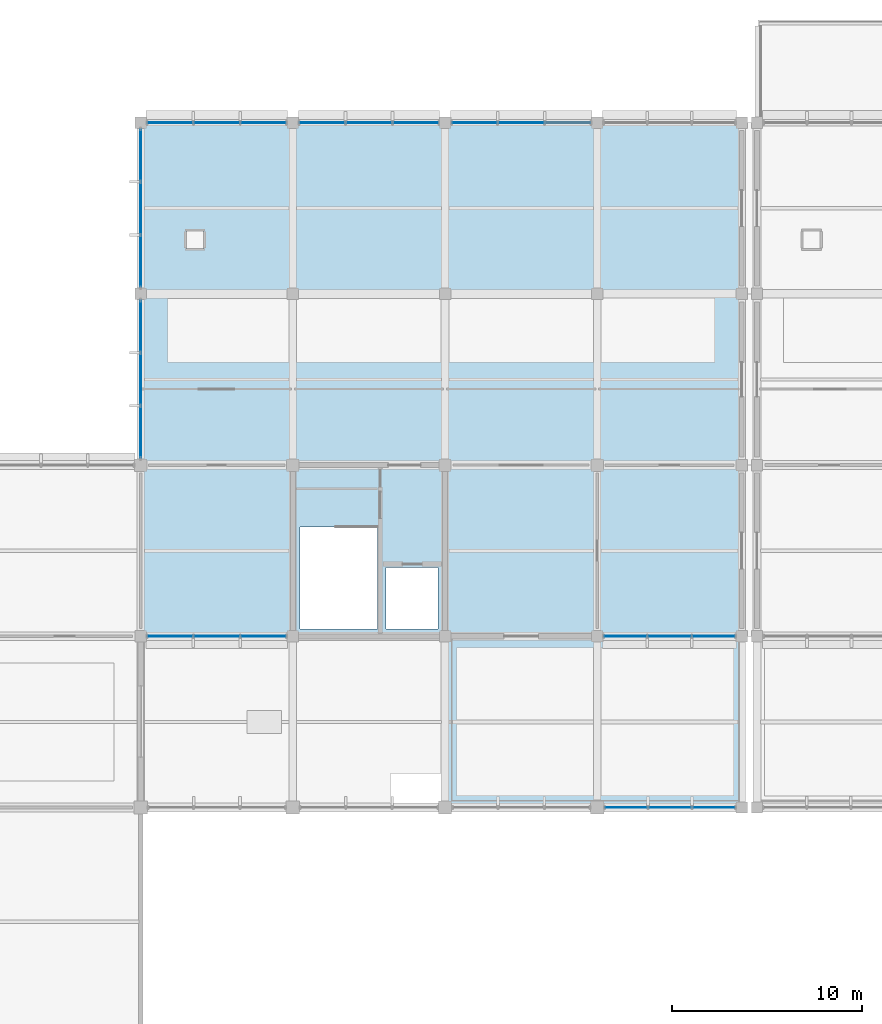
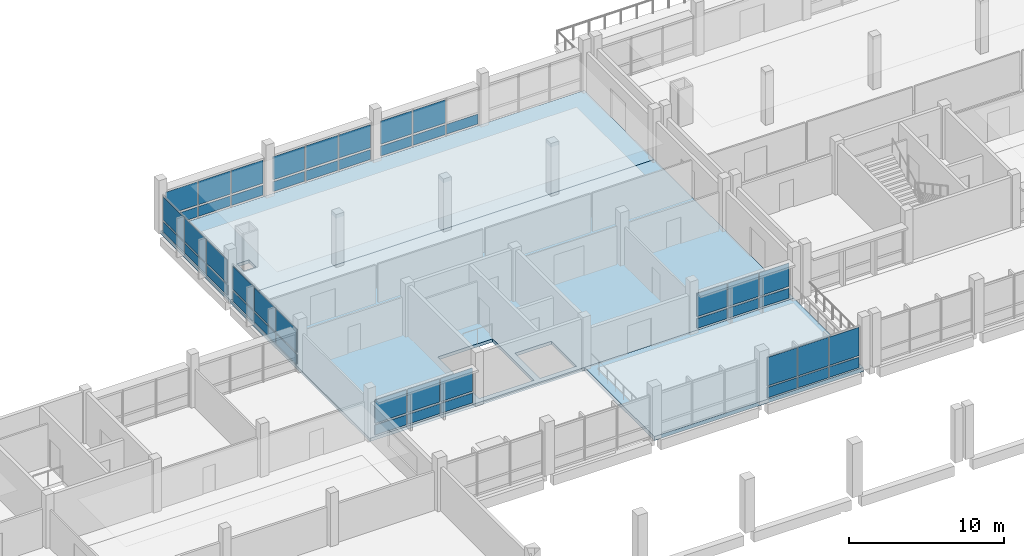
# One storey, part 48 of 70: 47 plates, 3 slabs, 8 elements without a shape of their own.
"""IFC4 building model written with IfcOpenShell, lengths in metres."""

from ifc_helpers import new_model, si_unit, direction, frame, origin, origin_2d, place, context, subcontext, project, spatial, polyline, rectangle, outline, extrude, material, layer, layer_set, type_object, element, aggregate, save


model = new_model("IFC4")

# Units and contexts
model_context = context("Model", 3, precision=1e-05, world=origin(), true_north=direction((0.0, 1.0)))
body_context = subcontext(model_context, "Body", "Model", "MODEL_VIEW")
ifc_project = project(units=[si_unit("LENGTHUNIT", "METRE"), si_unit("AREAUNIT", "SQUARE_METRE"), si_unit("VOLUMEUNIT", "CUBIC_METRE"), si_unit("PLANEANGLEUNIT", "RADIAN"), si_unit("MASSUNIT", "GRAM", prefix="KILO"), si_unit("THERMODYNAMICTEMPERATUREUNIT", "KELVIN"), si_unit("POWERUNIT", "WATT")], contexts=[model_context])

# Site, building, storey
site_placement = place(None, origin())
site = spatial("IfcSite", under=ifc_project, at=site_placement, CompositionType="ELEMENT")
building_placement = place(site_placement, origin())
building = spatial("IfcBuilding", under=site, at=building_placement, Name="Kronsvod Quay Wholesale Market", CompositionType="ELEMENT")
storey_placement = place(building_placement, frame((0.0, 0.0, 9.0)))
storey = spatial("IfcBuildingStorey", under=building, at=storey_placement, Name="L02", CompositionType="ELEMENT", Elevation=9.0)

# Curtain wall, plates
ifc_material_1 = material(Name="Thermally broken aluminium and triple low-E glazing", Category="aluminium")
curtain_wall_type_1 = type_object("IfcCurtainWallType", Name="CW_Clerestory80x32", PredefinedType="NOTDEFINED", material=ifc_material_1)
curtain_wall_1_placement = place(storey_placement, origin())
curtain_wall_1 = element("IfcCurtainWall", 1, at=curtain_wall_1_placement, inside=storey, type_object=curtain_wall_type_1, Name="CWGX-L02-560-900", PredefinedType="NOTDEFINED")
ifc_material_2 = material(Name="Insulated aluminium spandrel panel", Category="aluminium")
ifc_layer_1 = layer(ifc_material_2, 0.048095703125)
ifc_layer_set_1 = layer_set([ifc_layer_1], Name="Insulated aluminium spandrel panel")
plate_type_1 = type_object("IfcPlateType", Name="CWPanel_SP2222x820", PredefinedType="CURTAIN_PANEL", material=ifc_layer_set_1)
plate_1_placement = place(storey_placement, frame((62.128662109375, 90.0, 0.1201171875), z_axis=(0.0, 0.0, 1.0), x_axis=(-1.0, 0.0, 0.0)))
plate_1 = element("IfcPlate", 2, at=plate_1_placement, type_object=plate_type_1, Name="CWGX-L02-560-900-PS1", PredefinedType="CURTAIN_PANEL", context=body_context, shape_type="SweptSolid", body=[
    extrude(rectangle(XDim=2.221923828125, YDim=0.048095703125, at=origin_2d()), origin(), (0.0, 0.0, 1.0), 0.820068359375),
])
ifc_material_3 = material(Name="Insulated aluminium spandrel panel", Category="aluminium")
ifc_layer_2 = layer(ifc_material_3, 0.048095703125)
ifc_layer_set_2 = layer_set([ifc_layer_2], Name="Insulated aluminium spandrel panel")
plate_type_2 = type_object("IfcPlateType", Name="CWPanel_SP2223x820", PredefinedType="CURTAIN_PANEL", material=ifc_layer_set_2)
plate_2_placement = place(storey_placement, frame((57.521240234375, 90.0, 0.1201171875), z_axis=(0.0, 0.0, 1.0), x_axis=(-1.0, 0.0, 0.0)))
plate_2 = element("IfcPlate", 3, at=plate_2_placement, type_object=plate_type_2, Name="CWGX-L02-560-900-PS3", PredefinedType="CURTAIN_PANEL", context=body_context, shape_type="SweptSolid", body=[
    extrude(rectangle(XDim=2.222900390625, YDim=0.048095703125, at=origin_2d()), origin(), (0.0, 0.0, 1.0), 0.820068359375),
])

ifc_material_4 = material(Name="Thermally broken aluminium and triple low-E glazing", Category="aluminium")
curtain_wall_type_2 = type_object("IfcCurtainWallType", Name="CW_Harbour80x33", PredefinedType="NOTDEFINED", material=ifc_material_4)
curtain_wall_2_placement = place(storey_placement, origin())
curtain_wall_2 = element("IfcCurtainWall", 4, at=curtain_wall_2_placement, inside=storey, type_object=curtain_wall_type_2, Name="CWGX-L02-560-990", PredefinedType="NOTDEFINED")
ifc_material_5 = material(Name="Insulated aluminium spandrel panel", Category="aluminium")
ifc_layer_3 = layer(ifc_material_5, 0.048095703125)
ifc_layer_set_3 = layer_set([ifc_layer_3], Name="Insulated aluminium spandrel panel")
plate_type_3 = type_object("IfcPlateType", Name="CWPanel_SP2224x775", PredefinedType="CURTAIN_PANEL", material=ifc_layer_set_3)
plate_3_placement = place(storey_placement, frame((57.482177734375, 99.0, 0.150146484375), z_axis=(0.0, 0.0, 1.0), x_axis=(1.0, 0.0, 0.0)))
plate_3 = element("IfcPlate", 5, at=plate_3_placement, type_object=plate_type_3, Name="CWGX-L02-560-990-PS1", PredefinedType="CURTAIN_PANEL", context=body_context, shape_type="SweptSolid", body=[
    extrude(rectangle(XDim=2.22412109375, YDim=0.048095703125, at=origin_2d()), origin(), (0.0, 0.0, 1.0), 0.77490234375),
])
plate_4_placement = place(storey_placement, frame((62.117919921875, 99.0, 0.150146484375), z_axis=(0.0, 0.0, 1.0), x_axis=(1.0, 0.0, 0.0)))
plate_4 = element("IfcPlate", 6, at=plate_4_placement, type_object=plate_type_3, Name="CWGX-L02-560-990-PS3", PredefinedType="CURTAIN_PANEL", context=body_context, shape_type="SweptSolid", body=[
    extrude(rectangle(XDim=2.22412109375, YDim=0.048095703125, at=origin_2d()), origin(), (0.0, 0.0, 1.0), 0.77490234375),
])

# Plate
ifc_material_6 = material(Name="Insulated aluminium spandrel panel", Category="aluminium")
ifc_layer_4 = layer(ifc_material_6, 0.048095703125)
ifc_layer_set_4 = layer_set([ifc_layer_4], Name="Insulated aluminium spandrel panel")
plate_type_4 = type_object("IfcPlateType", Name="CWPanel_SP2255x820", PredefinedType="CURTAIN_PANEL", material=ifc_layer_set_4)
plate_5_placement = place(storey_placement, frame((59.824951171875, 90.0, 0.1201171875), z_axis=(0.0, 0.0, 1.0), x_axis=(-1.0, 0.0, 0.0)))
plate_5 = element("IfcPlate", 7, at=plate_5_placement, type_object=plate_type_4, Name="CWGX-L02-560-900-PS2", PredefinedType="CURTAIN_PANEL", context=body_context, shape_type="SweptSolid", body=[
    extrude(rectangle(XDim=2.2548828125, YDim=0.048095703125, at=origin_2d()), origin(), (0.0, 0.0, 1.0), 0.820068359375),
])

ifc_material_7 = material(Name="Insulated aluminium spandrel panel", Category="aluminium")
ifc_layer_5 = layer(ifc_material_7, 0.048095703125)
ifc_layer_set_5 = layer_set([ifc_layer_5], Name="Insulated aluminium spandrel panel")
plate_type_5 = type_object("IfcPlateType", Name="CWPanel_SP2262x775", PredefinedType="CURTAIN_PANEL", material=ifc_layer_set_5)
plate_6_placement = place(storey_placement, frame((59.800048828125, 99.0, 0.150146484375), z_axis=(0.0, 0.0, 1.0), x_axis=(1.0, 0.0, 0.0)))
plate_6 = element("IfcPlate", 8, at=plate_6_placement, type_object=plate_type_5, Name="CWGX-L02-560-990-PS2", PredefinedType="CURTAIN_PANEL", context=body_context, shape_type="SweptSolid", body=[
    extrude(rectangle(XDim=2.261962890625, YDim=0.048095703125, at=origin_2d()), origin(), (0.0, 0.0, 1.0), 0.77490234375),
])

# Curtain wall, plate
curtain_wall_3_placement = place(storey_placement, origin())
curtain_wall_3 = element("IfcCurtainWall", 9, at=curtain_wall_3_placement, inside=storey, type_object=curtain_wall_type_2, Name="CWGX-L02-320-990", PredefinedType="NOTDEFINED")
ifc_material_8 = material(Name="Insulated aluminium spandrel panel", Category="aluminium")
ifc_layer_6 = layer(ifc_material_8, 0.048095703125)
ifc_layer_set_6 = layer_set([ifc_layer_6], Name="Insulated aluminium spandrel panel")
plate_type_6 = type_object("IfcPlateType", Name="CWPanel_SP2357x775", PredefinedType="CURTAIN_PANEL", material=ifc_layer_set_6)
plate_7_placement = place(storey_placement, frame((33.548828125, 99.0, 0.150146484375), z_axis=(0.0, 0.0, 1.0), x_axis=(1.0, 0.0, 0.0)))
plate_7 = element("IfcPlate", 10, at=plate_7_placement, type_object=plate_type_6, Name="CWGX-L02-320-990-PS1", PredefinedType="CURTAIN_PANEL", context=body_context, shape_type="SweptSolid", body=[
    extrude(rectangle(XDim=2.35693359375, YDim=0.048095703125, at=origin_2d()), origin(), (0.0, 0.0, 1.0), 0.77490234375),
])

curtain_wall_4_placement = place(storey_placement, origin())
curtain_wall_4 = element("IfcCurtainWall", 11, at=curtain_wall_4_placement, inside=storey, type_object=curtain_wall_type_2, Name="CWGX-L02-320-1260", PredefinedType="NOTDEFINED")
plate_8_placement = place(storey_placement, frame((38.451171875, 126.0, 0.150146484375), z_axis=(0.0, 0.0, 1.0), x_axis=(-1.0, 0.0, 0.0)))
plate_8 = element("IfcPlate", 12, at=plate_8_placement, type_object=plate_type_6, Name="CWGX-L02-320-1260-PS1", PredefinedType="CURTAIN_PANEL", context=body_context, shape_type="SweptSolid", body=[
    extrude(rectangle(XDim=2.35693359375, YDim=0.048095703125, at=origin_2d()), origin(), (0.0, 0.0, 1.0), 0.77490234375),
])

curtain_wall_5_placement = place(storey_placement, origin())
curtain_wall_5 = element("IfcCurtainWall", 13, at=curtain_wall_5_placement, inside=storey, type_object=curtain_wall_type_2, Name="CWGX-L02-400-1260", PredefinedType="NOTDEFINED")
plate_9_placement = place(storey_placement, frame((46.451171875, 126.0, 0.150146484375), z_axis=(0.0, 0.0, 1.0), x_axis=(-1.0, 0.0, 0.0)))
plate_9 = element("IfcPlate", 14, at=plate_9_placement, type_object=plate_type_6, Name="CWGX-L02-400-1260-PS1", PredefinedType="CURTAIN_PANEL", context=body_context, shape_type="SweptSolid", body=[
    extrude(rectangle(XDim=2.35693359375, YDim=0.048095703125, at=origin_2d()), origin(), (0.0, 0.0, 1.0), 0.77490234375),
])

curtain_wall_6_placement = place(storey_placement, origin())
curtain_wall_6 = element("IfcCurtainWall", 15, at=curtain_wall_6_placement, inside=storey, type_object=curtain_wall_type_2, Name="CWGX-L02-480-1260", PredefinedType="NOTDEFINED")
plate_10_placement = place(storey_placement, frame((54.451171875, 126.0, 0.150146484375), z_axis=(0.0, 0.0, 1.0), x_axis=(-1.0, 0.0, 0.0)))
plate_10 = element("IfcPlate", 16, at=plate_10_placement, type_object=plate_type_6, Name="CWGX-L02-480-1260-PS1", PredefinedType="CURTAIN_PANEL", context=body_context, shape_type="SweptSolid", body=[
    extrude(rectangle(XDim=2.35693359375, YDim=0.048095703125, at=origin_2d()), origin(), (0.0, 0.0, 1.0), 0.77490234375),
])

# Plate
ifc_material_9 = material(Name="Insulated aluminium spandrel panel", Category="aluminium")
ifc_layer_7 = layer(ifc_material_9, 0.048095703125)
ifc_layer_set_7 = layer_set([ifc_layer_7], Name="Insulated aluminium spandrel panel")
plate_type_7 = type_object("IfcPlateType", Name="CWPanel_SP2358x775", PredefinedType="CURTAIN_PANEL", material=ifc_layer_set_7)
plate_11_placement = place(storey_placement, frame((38.451171875, 99.0, 0.150146484375), z_axis=(0.0, 0.0, 1.0), x_axis=(1.0, 0.0, 0.0)))
plate_11 = element("IfcPlate", 17, at=plate_11_placement, type_object=plate_type_7, Name="CWGX-L02-320-990-PS3", PredefinedType="CURTAIN_PANEL", context=body_context, shape_type="SweptSolid", body=[
    extrude(rectangle(XDim=2.35791015625, YDim=0.048095703125, at=origin_2d()), origin(), (0.0, 0.0, 1.0), 0.77490234375),
])

plate_12_placement = place(storey_placement, frame((33.548828125, 126.0, 0.150146484375), z_axis=(0.0, 0.0, 1.0), x_axis=(-1.0, 0.0, 0.0)))
plate_12 = element("IfcPlate", 18, at=plate_12_placement, type_object=plate_type_7, Name="CWGX-L02-320-1260-PS3", PredefinedType="CURTAIN_PANEL", context=body_context, shape_type="SweptSolid", body=[
    extrude(rectangle(XDim=2.35791015625, YDim=0.048095703125, at=origin_2d()), origin(), (0.0, 0.0, 1.0), 0.77490234375),
])

plate_13_placement = place(storey_placement, frame((41.548828125, 126.0, 0.150146484375), z_axis=(0.0, 0.0, 1.0), x_axis=(-1.0, 0.0, 0.0)))
plate_13 = element("IfcPlate", 19, at=plate_13_placement, type_object=plate_type_7, Name="CWGX-L02-400-1260-PS3", PredefinedType="CURTAIN_PANEL", context=body_context, shape_type="SweptSolid", body=[
    extrude(rectangle(XDim=2.35791015625, YDim=0.048095703125, at=origin_2d()), origin(), (0.0, 0.0, 1.0), 0.77490234375),
])

plate_14_placement = place(storey_placement, frame((49.548828125, 126.0, 0.150146484375), z_axis=(0.0, 0.0, 1.0), x_axis=(-1.0, 0.0, 0.0)))
plate_14 = element("IfcPlate", 20, at=plate_14_placement, type_object=plate_type_7, Name="CWGX-L02-480-1260-PS3", PredefinedType="CURTAIN_PANEL", context=body_context, shape_type="SweptSolid", body=[
    extrude(rectangle(XDim=2.35791015625, YDim=0.048095703125, at=origin_2d()), origin(), (0.0, 0.0, 1.0), 0.77490234375),
])

ifc_material_10 = material(Name="Insulated aluminium spandrel panel", Category="aluminium")
ifc_layer_8 = layer(ifc_material_10, 0.048095703125)
ifc_layer_set_8 = layer_set([ifc_layer_8], Name="Insulated aluminium spandrel panel")
plate_type_8 = type_object("IfcPlateType", Name="CWPanel_SP2395x775", PredefinedType="CURTAIN_PANEL", material=ifc_layer_set_8)
plate_15_placement = place(storey_placement, frame((36.0, 99.0, 0.150146484375), z_axis=(0.0, 0.0, 1.0), x_axis=(1.0, 0.0, 0.0)))
plate_15 = element("IfcPlate", 21, at=plate_15_placement, type_object=plate_type_8, Name="CWGX-L02-320-990-PS2", PredefinedType="CURTAIN_PANEL", context=body_context, shape_type="SweptSolid", body=[
    extrude(rectangle(XDim=2.39501953125, YDim=0.048095703125, at=origin_2d()), origin(), (0.0, 0.0, 1.0), 0.77490234375),
])

plate_16_placement = place(storey_placement, frame((36.0, 126.0, 0.150146484375), z_axis=(0.0, 0.0, 1.0), x_axis=(-1.0, 0.0, 0.0)))
plate_16 = element("IfcPlate", 22, at=plate_16_placement, type_object=plate_type_8, Name="CWGX-L02-320-1260-PS2", PredefinedType="CURTAIN_PANEL", context=body_context, shape_type="SweptSolid", body=[
    extrude(rectangle(XDim=2.39501953125, YDim=0.048095703125, at=origin_2d()), origin(), (0.0, 0.0, 1.0), 0.77490234375),
])

plate_17_placement = place(storey_placement, frame((44.0, 126.0, 0.150146484375), z_axis=(0.0, 0.0, 1.0), x_axis=(-1.0, 0.0, 0.0)))
plate_17 = element("IfcPlate", 23, at=plate_17_placement, type_object=plate_type_8, Name="CWGX-L02-400-1260-PS2", PredefinedType="CURTAIN_PANEL", context=body_context, shape_type="SweptSolid", body=[
    extrude(rectangle(XDim=2.39501953125, YDim=0.048095703125, at=origin_2d()), origin(), (0.0, 0.0, 1.0), 0.77490234375),
])

plate_18_placement = place(storey_placement, frame((52.0, 126.0, 0.150146484375), z_axis=(0.0, 0.0, 1.0), x_axis=(-1.0, 0.0, 0.0)))
plate_18 = element("IfcPlate", 24, at=plate_18_placement, type_object=plate_type_8, Name="CWGX-L02-480-1260-PS2", PredefinedType="CURTAIN_PANEL", context=body_context, shape_type="SweptSolid", body=[
    extrude(rectangle(XDim=2.39501953125, YDim=0.048095703125, at=origin_2d()), origin(), (0.0, 0.0, 1.0), 0.77490234375),
])

# Curtain wall, plates
ifc_material_11 = material(Name="Thermally broken aluminium and triple low-E glazing", Category="aluminium")
curtain_wall_type_3 = type_object("IfcCurtainWallType", Name="CW_Wing90x33", PredefinedType="NOTDEFINED", material=ifc_material_11)
curtain_wall_7_placement = place(storey_placement, origin())
curtain_wall_7 = element("IfcCurtainWall", 25, at=curtain_wall_7_placement, inside=storey, type_object=curtain_wall_type_3, Name="CWGY-L02-320-1080", PredefinedType="NOTDEFINED")
ifc_material_12 = material(Name="Insulated aluminium spandrel panel", Category="aluminium")
ifc_layer_9 = layer(ifc_material_12, 0.048095703125)
ifc_layer_set_9 = layer_set([ifc_layer_9], Name="Insulated aluminium spandrel panel")
plate_type_9 = type_object("IfcPlateType", Name="CWPanel_SP2683x775", PredefinedType="CURTAIN_PANEL", material=ifc_layer_set_9)
plate_19_placement = place(storey_placement, frame((32.0, 115.288818359375, 0.150146484375), z_axis=(0.0, 0.0, 1.0), x_axis=(0.0, -1.0, 0.0)))
plate_19 = element("IfcPlate", 26, at=plate_19_placement, type_object=plate_type_9, Name="CWGY-L02-320-1080-PS1", PredefinedType="CURTAIN_PANEL", context=body_context, shape_type="SweptSolid", body=[
    extrude(rectangle(XDim=2.68310546875, YDim=0.048095703125, at=origin_2d()), origin(), (0.0, 0.0, 1.0), 0.77490234375),
])
plate_20_placement = place(storey_placement, frame((32.0, 109.736328125, 0.150146484375), z_axis=(0.0, 0.0, 1.0), x_axis=(0.0, -1.0, 0.0)))
plate_20 = element("IfcPlate", 27, at=plate_20_placement, type_object=plate_type_9, Name="CWGY-L02-320-1080-PS3", PredefinedType="CURTAIN_PANEL", context=body_context, shape_type="SweptSolid", body=[
    extrude(rectangle(XDim=2.68310546875, YDim=0.048095703125, at=origin_2d()), origin(), (0.0, 0.0, 1.0), 0.77490234375),
])

curtain_wall_8_placement = place(storey_placement, origin())
curtain_wall_8 = element("IfcCurtainWall", 28, at=curtain_wall_8_placement, inside=storey, type_object=curtain_wall_type_3, Name="CWGY-L02-320-1170", PredefinedType="NOTDEFINED")
ifc_material_13 = material(Name="Insulated aluminium spandrel panel", Category="aluminium")
ifc_layer_10 = layer(ifc_material_13, 0.048095703125)
ifc_layer_set_10 = layer_set([ifc_layer_10], Name="Insulated aluminium spandrel panel")
plate_type_10 = type_object("IfcPlateType", Name="CWPanel_SP2691x775", PredefinedType="CURTAIN_PANEL", material=ifc_layer_set_10)
plate_21_placement = place(storey_placement, frame((32.0, 124.28466796875, 0.150146484375), z_axis=(0.0, 0.0, 1.0), x_axis=(0.0, -1.0, 0.0)))
plate_21 = element("IfcPlate", 29, at=plate_21_placement, type_object=plate_type_10, Name="CWGY-L02-320-1170-PS1", PredefinedType="CURTAIN_PANEL", context=body_context, shape_type="SweptSolid", body=[
    extrude(rectangle(XDim=2.69091796875, YDim=0.048095703125, at=origin_2d()), origin(), (0.0, 0.0, 1.0), 0.77490234375),
])
plate_22_placement = place(storey_placement, frame((32.0, 118.71533203125, 0.150146484375), z_axis=(0.0, 0.0, 1.0), x_axis=(0.0, -1.0, 0.0)))
plate_22 = element("IfcPlate", 30, at=plate_22_placement, type_object=plate_type_10, Name="CWGY-L02-320-1170-PS3", PredefinedType="CURTAIN_PANEL", context=body_context, shape_type="SweptSolid", body=[
    extrude(rectangle(XDim=2.69091796875, YDim=0.048095703125, at=origin_2d()), origin(), (0.0, 0.0, 1.0), 0.77490234375),
])

# Plate
ifc_material_14 = material(Name="Insulated aluminium spandrel panel", Category="aluminium")
ifc_layer_11 = layer(ifc_material_14, 0.048095703125)
ifc_layer_set_11 = layer_set([ifc_layer_11], Name="Insulated aluminium spandrel panel")
plate_type_11 = type_object("IfcPlateType", Name="CWPanel_SP2720x775", PredefinedType="CURTAIN_PANEL", material=ifc_layer_set_11)
plate_23_placement = place(storey_placement, frame((32.0, 112.512451171875, 0.150146484375), z_axis=(0.0, 0.0, 1.0), x_axis=(0.0, -1.0, 0.0)))
plate_23 = element("IfcPlate", 31, at=plate_23_placement, type_object=plate_type_11, Name="CWGY-L02-320-1080-PS2", PredefinedType="CURTAIN_PANEL", context=body_context, shape_type="SweptSolid", body=[
    extrude(rectangle(XDim=2.719970703125, YDim=0.048095703125, at=origin_2d()), origin(), (0.0, 0.0, 1.0), 0.77490234375),
])

ifc_material_15 = material(Name="Insulated aluminium spandrel panel", Category="aluminium")
ifc_layer_12 = layer(ifc_material_15, 0.048095703125)
ifc_layer_set_12 = layer_set([ifc_layer_12], Name="Insulated aluminium spandrel panel")
plate_type_12 = type_object("IfcPlateType", Name="CWPanel_SP2728x775", PredefinedType="CURTAIN_PANEL", material=ifc_layer_set_12)
plate_24_placement = place(storey_placement, frame((32.0, 121.5, 0.150146484375), z_axis=(0.0, 0.0, 1.0), x_axis=(0.0, -1.0, 0.0)))
plate_24 = element("IfcPlate", 32, at=plate_24_placement, type_object=plate_type_12, Name="CWGY-L02-320-1170-PS2", PredefinedType="CURTAIN_PANEL", context=body_context, shape_type="SweptSolid", body=[
    extrude(rectangle(XDim=2.72802734375, YDim=0.048095703125, at=origin_2d()), origin(), (0.0, 0.0, 1.0), 0.77490234375),
])

ifc_material_16 = material(Name="Triple low-E insulated glazing", Category="glass")
ifc_layer_13 = layer(ifc_material_16, 0.0439453125)
ifc_layer_set_13 = layer_set([ifc_layer_13], Name="Triple low-E insulated glazing")
plate_type_13 = type_object("IfcPlateType", Name="CWPanel_VS2222x2240", PredefinedType="CURTAIN_PANEL", material=ifc_layer_set_13)
plate_25_placement = place(storey_placement, frame((62.128662109375, 90.0, 1.06005859375), z_axis=(0.0, 0.0, 1.0), x_axis=(-1.0, 0.0, 0.0)))
plate_25 = element("IfcPlate", 33, at=plate_25_placement, type_object=plate_type_13, Name="CWGX-L02-560-900-PV1", PredefinedType="CURTAIN_PANEL", context=body_context, shape_type="SweptSolid", body=[
    extrude(rectangle(XDim=2.221923828125, YDim=0.0439453125, at=origin_2d()), origin(), (0.0, 0.0, 1.0), 2.239990234375),
])

ifc_material_17 = material(Name="Triple low-E insulated glazing", Category="glass")
ifc_layer_14 = layer(ifc_material_17, 0.0439453125)
ifc_layer_set_14 = layer_set([ifc_layer_14], Name="Triple low-E insulated glazing")
plate_type_14 = type_object("IfcPlateType", Name="CWPanel_VS2223x2240", PredefinedType="CURTAIN_PANEL", material=ifc_layer_set_14)
plate_26_placement = place(storey_placement, frame((57.521240234375, 90.0, 1.06005859375), z_axis=(0.0, 0.0, 1.0), x_axis=(-1.0, 0.0, 0.0)))
plate_26 = element("IfcPlate", 34, at=plate_26_placement, type_object=plate_type_14, Name="CWGX-L02-560-900-PV3", PredefinedType="CURTAIN_PANEL", context=body_context, shape_type="SweptSolid", body=[
    extrude(rectangle(XDim=2.222900390625, YDim=0.0439453125, at=origin_2d()), origin(), (0.0, 0.0, 1.0), 2.239990234375),
])

ifc_material_18 = material(Name="Triple low-E insulated glazing", Category="glass")
ifc_layer_15 = layer(ifc_material_18, 0.0439453125)
ifc_layer_set_15 = layer_set([ifc_layer_15], Name="Triple low-E insulated glazing")
plate_type_15 = type_object("IfcPlateType", Name="CWPanel_VS2224x1825", PredefinedType="CURTAIN_PANEL", material=ifc_layer_set_15)
plate_27_placement = place(storey_placement, frame((57.482177734375, 99.0, 1.0751953125), z_axis=(0.0, 0.0, 1.0), x_axis=(1.0, 0.0, 0.0)))
plate_27 = element("IfcPlate", 35, at=plate_27_placement, type_object=plate_type_15, Name="CWGX-L02-560-990-PV1", PredefinedType="CURTAIN_PANEL", context=body_context, shape_type="SweptSolid", body=[
    extrude(rectangle(XDim=2.22412109375, YDim=0.0439453125, at=origin_2d()), origin(), (0.0, 0.0, 1.0), 1.824951171875),
])

plate_28_placement = place(storey_placement, frame((62.117919921875, 99.0, 1.0751953125), z_axis=(0.0, 0.0, 1.0), x_axis=(1.0, 0.0, 0.0)))
plate_28 = element("IfcPlate", 36, at=plate_28_placement, type_object=plate_type_15, Name="CWGX-L02-560-990-PV3", PredefinedType="CURTAIN_PANEL", context=body_context, shape_type="SweptSolid", body=[
    extrude(rectangle(XDim=2.22412109375, YDim=0.0439453125, at=origin_2d()), origin(), (0.0, 0.0, 1.0), 1.824951171875),
])

ifc_material_19 = material(Name="Triple low-E insulated glazing", Category="glass")
ifc_layer_16 = layer(ifc_material_19, 0.0439453125)
ifc_layer_set_16 = layer_set([ifc_layer_16], Name="Triple low-E insulated glazing")
plate_type_16 = type_object("IfcPlateType", Name="CWPanel_VS2255x2240", PredefinedType="CURTAIN_PANEL", material=ifc_layer_set_16)
plate_29_placement = place(storey_placement, frame((59.824951171875, 90.0, 1.06005859375), z_axis=(0.0, 0.0, 1.0), x_axis=(-1.0, 0.0, 0.0)))
plate_29 = element("IfcPlate", 37, at=plate_29_placement, type_object=plate_type_16, Name="CWGX-L02-560-900-PV2", PredefinedType="CURTAIN_PANEL", context=body_context, shape_type="SweptSolid", body=[
    extrude(rectangle(XDim=2.2548828125, YDim=0.0439453125, at=origin_2d()), origin(), (0.0, 0.0, 1.0), 2.239990234375),
])

aggregate(curtain_wall_1, [plate_1, plate_25, plate_5, plate_29, plate_2, plate_26])

ifc_material_20 = material(Name="Triple low-E insulated glazing", Category="glass")
ifc_layer_17 = layer(ifc_material_20, 0.0439453125)
ifc_layer_set_17 = layer_set([ifc_layer_17], Name="Triple low-E insulated glazing")
plate_type_17 = type_object("IfcPlateType", Name="CWPanel_VS2262x1825", PredefinedType="CURTAIN_PANEL", material=ifc_layer_set_17)
plate_30_placement = place(storey_placement, frame((59.800048828125, 99.0, 1.0751953125), z_axis=(0.0, 0.0, 1.0), x_axis=(1.0, 0.0, 0.0)))
plate_30 = element("IfcPlate", 38, at=plate_30_placement, type_object=plate_type_17, Name="CWGX-L02-560-990-PV2", PredefinedType="CURTAIN_PANEL", context=body_context, shape_type="SweptSolid", body=[
    extrude(rectangle(XDim=2.261962890625, YDim=0.0439453125, at=origin_2d()), origin(), (0.0, 0.0, 1.0), 1.824951171875),
])

aggregate(curtain_wall_2, [plate_3, plate_27, plate_6, plate_30, plate_4, plate_28])

ifc_material_21 = material(Name="Triple low-E insulated glazing", Category="glass")
ifc_layer_18 = layer(ifc_material_21, 0.0439453125)
ifc_layer_set_18 = layer_set([ifc_layer_18], Name="Triple low-E insulated glazing")
plate_type_18 = type_object("IfcPlateType", Name="CWPanel_VS2357x1825", PredefinedType="CURTAIN_PANEL", material=ifc_layer_set_18)
plate_31_placement = place(storey_placement, frame((33.548828125, 99.0, 1.0751953125), z_axis=(0.0, 0.0, 1.0), x_axis=(1.0, 0.0, 0.0)))
plate_31 = element("IfcPlate", 39, at=plate_31_placement, type_object=plate_type_18, Name="CWGX-L02-320-990-PV1", PredefinedType="CURTAIN_PANEL", context=body_context, shape_type="SweptSolid", body=[
    extrude(rectangle(XDim=2.35693359375, YDim=0.0439453125, at=origin_2d()), origin(), (0.0, 0.0, 1.0), 1.824951171875),
])

plate_32_placement = place(storey_placement, frame((38.451171875, 126.0, 1.0751953125), z_axis=(0.0, 0.0, 1.0), x_axis=(-1.0, 0.0, 0.0)))
plate_32 = element("IfcPlate", 40, at=plate_32_placement, type_object=plate_type_18, Name="CWGX-L02-320-1260-PV1", PredefinedType="CURTAIN_PANEL", context=body_context, shape_type="SweptSolid", body=[
    extrude(rectangle(XDim=2.35693359375, YDim=0.0439453125, at=origin_2d()), origin(), (0.0, 0.0, 1.0), 1.824951171875),
])

plate_33_placement = place(storey_placement, frame((46.451171875, 126.0, 1.0751953125), z_axis=(0.0, 0.0, 1.0), x_axis=(-1.0, 0.0, 0.0)))
plate_33 = element("IfcPlate", 41, at=plate_33_placement, type_object=plate_type_18, Name="CWGX-L02-400-1260-PV1", PredefinedType="CURTAIN_PANEL", context=body_context, shape_type="SweptSolid", body=[
    extrude(rectangle(XDim=2.35693359375, YDim=0.0439453125, at=origin_2d()), origin(), (0.0, 0.0, 1.0), 1.824951171875),
])

ifc_material_22 = material(Name="Triple low-E insulated glazing", Category="glass")
ifc_layer_19 = layer(ifc_material_22, 0.0439453125)
ifc_layer_set_19 = layer_set([ifc_layer_19], Name="Triple low-E insulated glazing")
plate_type_19 = type_object("IfcPlateType", Name="CWPanel_VS2358x1825", PredefinedType="CURTAIN_PANEL", material=ifc_layer_set_19)
plate_34_placement = place(storey_placement, frame((38.451171875, 99.0, 1.0751953125), z_axis=(0.0, 0.0, 1.0), x_axis=(1.0, 0.0, 0.0)))
plate_34 = element("IfcPlate", 42, at=plate_34_placement, type_object=plate_type_19, Name="CWGX-L02-320-990-PV3", PredefinedType="CURTAIN_PANEL", context=body_context, shape_type="SweptSolid", body=[
    extrude(rectangle(XDim=2.35791015625, YDim=0.0439453125, at=origin_2d()), origin(), (0.0, 0.0, 1.0), 1.824951171875),
])

plate_35_placement = place(storey_placement, frame((33.548828125, 126.0, 1.0751953125), z_axis=(0.0, 0.0, 1.0), x_axis=(-1.0, 0.0, 0.0)))
plate_35 = element("IfcPlate", 43, at=plate_35_placement, type_object=plate_type_19, Name="CWGX-L02-320-1260-PV3", PredefinedType="CURTAIN_PANEL", context=body_context, shape_type="SweptSolid", body=[
    extrude(rectangle(XDim=2.35791015625, YDim=0.0439453125, at=origin_2d()), origin(), (0.0, 0.0, 1.0), 1.824951171875),
])

plate_36_placement = place(storey_placement, frame((41.548828125, 126.0, 1.0751953125), z_axis=(0.0, 0.0, 1.0), x_axis=(-1.0, 0.0, 0.0)))
plate_36 = element("IfcPlate", 44, at=plate_36_placement, type_object=plate_type_19, Name="CWGX-L02-400-1260-PV3", PredefinedType="CURTAIN_PANEL", context=body_context, shape_type="SweptSolid", body=[
    extrude(rectangle(XDim=2.35791015625, YDim=0.0439453125, at=origin_2d()), origin(), (0.0, 0.0, 1.0), 1.824951171875),
])

plate_37_placement = place(storey_placement, frame((49.548828125, 126.0, 1.0751953125), z_axis=(0.0, 0.0, 1.0), x_axis=(-1.0, 0.0, 0.0)))
plate_37 = element("IfcPlate", 45, at=plate_37_placement, type_object=plate_type_19, Name="CWGX-L02-480-1260-PV3", PredefinedType="CURTAIN_PANEL", context=body_context, shape_type="SweptSolid", body=[
    extrude(rectangle(XDim=2.35791015625, YDim=0.0439453125, at=origin_2d()), origin(), (0.0, 0.0, 1.0), 1.824951171875),
])

ifc_material_23 = material(Name="Triple low-E insulated glazing", Category="glass")
ifc_layer_20 = layer(ifc_material_23, 0.0439453125)
ifc_layer_set_20 = layer_set([ifc_layer_20], Name="Triple low-E insulated glazing")
plate_type_20 = type_object("IfcPlateType", Name="CWPanel_VS2395x1825", PredefinedType="CURTAIN_PANEL", material=ifc_layer_set_20)
plate_38_placement = place(storey_placement, frame((36.0, 99.0, 1.0751953125), z_axis=(0.0, 0.0, 1.0), x_axis=(1.0, 0.0, 0.0)))
plate_38 = element("IfcPlate", 46, at=plate_38_placement, type_object=plate_type_20, Name="CWGX-L02-320-990-PV2", PredefinedType="CURTAIN_PANEL", context=body_context, shape_type="SweptSolid", body=[
    extrude(rectangle(XDim=2.39501953125, YDim=0.0439453125, at=origin_2d()), origin(), (0.0, 0.0, 1.0), 1.824951171875),
])

aggregate(curtain_wall_3, [plate_7, plate_31, plate_15, plate_38, plate_11, plate_34])

plate_39_placement = place(storey_placement, frame((36.0, 126.0, 1.0751953125), z_axis=(0.0, 0.0, 1.0), x_axis=(-1.0, 0.0, 0.0)))
plate_39 = element("IfcPlate", 47, at=plate_39_placement, type_object=plate_type_20, Name="CWGX-L02-320-1260-PV2", PredefinedType="CURTAIN_PANEL", context=body_context, shape_type="SweptSolid", body=[
    extrude(rectangle(XDim=2.39501953125, YDim=0.0439453125, at=origin_2d()), origin(), (0.0, 0.0, 1.0), 1.824951171875),
])

aggregate(curtain_wall_4, [plate_8, plate_32, plate_16, plate_39, plate_12, plate_35])

plate_40_placement = place(storey_placement, frame((44.0, 126.0, 1.0751953125), z_axis=(0.0, 0.0, 1.0), x_axis=(-1.0, 0.0, 0.0)))
plate_40 = element("IfcPlate", 48, at=plate_40_placement, type_object=plate_type_20, Name="CWGX-L02-400-1260-PV2", PredefinedType="CURTAIN_PANEL", context=body_context, shape_type="SweptSolid", body=[
    extrude(rectangle(XDim=2.39501953125, YDim=0.0439453125, at=origin_2d()), origin(), (0.0, 0.0, 1.0), 1.824951171875),
])

aggregate(curtain_wall_5, [plate_9, plate_33, plate_17, plate_40, plate_13, plate_36])

plate_41_placement = place(storey_placement, frame((52.0, 126.0, 1.0751953125), z_axis=(0.0, 0.0, 1.0), x_axis=(-1.0, 0.0, 0.0)))
plate_41 = element("IfcPlate", 49, at=plate_41_placement, type_object=plate_type_20, Name="CWGX-L02-480-1260-PV2", PredefinedType="CURTAIN_PANEL", context=body_context, shape_type="SweptSolid", body=[
    extrude(rectangle(XDim=2.39501953125, YDim=0.0439453125, at=origin_2d()), origin(), (0.0, 0.0, 1.0), 1.824951171875),
])

aggregate(curtain_wall_6, [plate_10, plate_18, plate_41, plate_14, plate_37])

ifc_material_24 = material(Name="Triple low-E insulated glazing", Category="glass")
ifc_layer_21 = layer(ifc_material_24, 0.0439453125)
ifc_layer_set_21 = layer_set([ifc_layer_21], Name="Triple low-E insulated glazing")
plate_type_21 = type_object("IfcPlateType", Name="CWPanel_VS2683x1825", PredefinedType="CURTAIN_PANEL", material=ifc_layer_set_21)
plate_42_placement = place(storey_placement, frame((32.0, 115.288818359375, 1.0751953125), z_axis=(0.0, 0.0, 1.0), x_axis=(0.0, -1.0, 0.0)))
plate_42 = element("IfcPlate", 50, at=plate_42_placement, type_object=plate_type_21, Name="CWGY-L02-320-1080-PV1", PredefinedType="CURTAIN_PANEL", context=body_context, shape_type="SweptSolid", body=[
    extrude(rectangle(XDim=2.68310546875, YDim=0.0439453125, at=origin_2d()), origin(), (0.0, 0.0, 1.0), 1.824951171875),
])

plate_43_placement = place(storey_placement, frame((32.0, 109.736328125, 1.0751953125), z_axis=(0.0, 0.0, 1.0), x_axis=(0.0, -1.0, 0.0)))
plate_43 = element("IfcPlate", 51, at=plate_43_placement, type_object=plate_type_21, Name="CWGY-L02-320-1080-PV3", PredefinedType="CURTAIN_PANEL", context=body_context, shape_type="SweptSolid", body=[
    extrude(rectangle(XDim=2.68310546875, YDim=0.0439453125, at=origin_2d()), origin(), (0.0, 0.0, 1.0), 1.824951171875),
])

ifc_material_25 = material(Name="Triple low-E insulated glazing", Category="glass")
ifc_layer_22 = layer(ifc_material_25, 0.0439453125)
ifc_layer_set_22 = layer_set([ifc_layer_22], Name="Triple low-E insulated glazing")
plate_type_22 = type_object("IfcPlateType", Name="CWPanel_VS2691x1825", PredefinedType="CURTAIN_PANEL", material=ifc_layer_set_22)
plate_44_placement = place(storey_placement, frame((32.0, 124.28466796875, 1.0751953125), z_axis=(0.0, 0.0, 1.0), x_axis=(0.0, -1.0, 0.0)))
plate_44 = element("IfcPlate", 52, at=plate_44_placement, type_object=plate_type_22, Name="CWGY-L02-320-1170-PV1", PredefinedType="CURTAIN_PANEL", context=body_context, shape_type="SweptSolid", body=[
    extrude(rectangle(XDim=2.69091796875, YDim=0.0439453125, at=origin_2d()), origin(), (0.0, 0.0, 1.0), 1.824951171875),
])

plate_45_placement = place(storey_placement, frame((32.0, 118.71533203125, 1.0751953125), z_axis=(0.0, 0.0, 1.0), x_axis=(0.0, -1.0, 0.0)))
plate_45 = element("IfcPlate", 53, at=plate_45_placement, type_object=plate_type_22, Name="CWGY-L02-320-1170-PV3", PredefinedType="CURTAIN_PANEL", context=body_context, shape_type="SweptSolid", body=[
    extrude(rectangle(XDim=2.69091796875, YDim=0.0439453125, at=origin_2d()), origin(), (0.0, 0.0, 1.0), 1.824951171875),
])

ifc_material_26 = material(Name="Triple low-E insulated glazing", Category="glass")
ifc_layer_23 = layer(ifc_material_26, 0.0439453125)
ifc_layer_set_23 = layer_set([ifc_layer_23], Name="Triple low-E insulated glazing")
plate_type_23 = type_object("IfcPlateType", Name="CWPanel_VS2720x1825", PredefinedType="CURTAIN_PANEL", material=ifc_layer_set_23)
plate_46_placement = place(storey_placement, frame((32.0, 112.512451171875, 1.0751953125), z_axis=(0.0, 0.0, 1.0), x_axis=(0.0, -1.0, 0.0)))
plate_46 = element("IfcPlate", 54, at=plate_46_placement, type_object=plate_type_23, Name="CWGY-L02-320-1080-PV2", PredefinedType="CURTAIN_PANEL", context=body_context, shape_type="SweptSolid", body=[
    extrude(rectangle(XDim=2.719970703125, YDim=0.0439453125, at=origin_2d()), origin(), (0.0, 0.0, 1.0), 1.824951171875),
])

aggregate(curtain_wall_7, [plate_19, plate_42, plate_23, plate_46, plate_20, plate_43])

ifc_material_27 = material(Name="Triple low-E insulated glazing", Category="glass")
ifc_layer_24 = layer(ifc_material_27, 0.0439453125)
ifc_layer_set_24 = layer_set([ifc_layer_24], Name="Triple low-E insulated glazing")
plate_type_24 = type_object("IfcPlateType", Name="CWPanel_VS2728x1825", PredefinedType="CURTAIN_PANEL", material=ifc_layer_set_24)
plate_47_placement = place(storey_placement, frame((32.0, 121.5, 1.0751953125), z_axis=(0.0, 0.0, 1.0), x_axis=(0.0, -1.0, 0.0)))
plate_47 = element("IfcPlate", 55, at=plate_47_placement, type_object=plate_type_24, Name="CWGY-L02-320-1170-PV2", PredefinedType="CURTAIN_PANEL", context=body_context, shape_type="SweptSolid", body=[
    extrude(rectangle(XDim=2.72802734375, YDim=0.0439453125, at=origin_2d()), origin(), (0.0, 0.0, 1.0), 1.824951171875),
])

aggregate(curtain_wall_8, [plate_21, plate_44, plate_24, plate_47, plate_22, plate_45])

# Slabs
ifc_material_28 = material(Name="Concrete C35/45", Category="concrete")
ifc_layer_25 = layer(ifc_material_28, 0.25)
ifc_layer_set_25 = layer_set([ifc_layer_25], Name="Concrete C35/45")
slab_type_1 = type_object("IfcSlabType", Name="Slab_Floor250", PredefinedType="FLOOR", material=ifc_layer_set_25)
slab_1_placement = place(storey_placement, frame((0.0, 0.0, -0.25)))
element("IfcSlab", 56, at=slab_1_placement, inside=storey, type_object=slab_type_1, Name="SLB-L02-114", PredefinedType="FLOOR", context=body_context, shape_type="SweptSolid", body=[
    extrude(outline(polyline([(32.0, 99.0), (63.580078125, 99.0), (63.580078125, 117.0), (32.0, 117.0), (32.0, 99.0)]), holes=[polyline([(40.3798828125, 99.3798828125), (44.4599609375, 99.3798828125), (44.4599609375, 104.75), (40.3798828125, 104.75), (40.3798828125, 99.3798828125)]), polyline([(44.89990234375, 99.3798828125), (47.6201171875, 99.3798828125), (47.6201171875, 102.6201171875), (44.89990234375, 102.6201171875), (44.89990234375, 99.3798828125)])]), origin(), (0.0, 0.0, 1.0), 0.25),
])
slab_2_placement = place(storey_placement, frame((0.0, 0.0, -0.25)))
element("IfcSlab", 57, at=slab_2_placement, inside=storey, type_object=slab_type_1, Name="SLB-L02-115", PredefinedType="FLOOR", context=body_context, shape_type="SweptSolid", body=[
    extrude(outline(polyline([(32.0, 117.0), (63.580078125, 117.0), (63.580078125, 126.0), (32.0, 126.0), (32.0, 117.0)]), holes=[polyline([(34.39990234375, 119.39990234375), (35.300048828125, 119.39990234375), (35.300048828125, 120.300048828125), (34.39990234375, 120.300048828125), (34.39990234375, 119.39990234375)])]), origin(), (0.0, 0.0, 1.0), 0.25),
])
ifc_material_29 = material(Name="Concrete C35/45", Category="concrete")
ifc_layer_26 = layer(ifc_material_29, 0.31005859375)
ifc_layer_set_26 = layer_set([ifc_layer_26], Name="Concrete C35/45")
slab_type_2 = type_object("IfcSlabType", Name="Slab_GardenDeck310", PredefinedType="FLOOR", material=ifc_layer_set_26)
slab_3_placement = place(storey_placement, frame((0.0, 0.0, -0.31005859375)))
element("IfcSlab", 58, at=slab_3_placement, inside=storey, type_object=slab_type_2, Name="SLB-L02-109", PredefinedType="FLOOR", context=body_context, shape_type="SweptSolid", body=[
    extrude(outline(polyline([(48.0, 90.0), (63.580078125, 90.0), (63.580078125, 99.0), (48.0, 99.0), (48.0, 90.0)])), origin(), (0.0, 0.0, 1.0), 0.31005859375),
])

save(model, "model.ifc")
